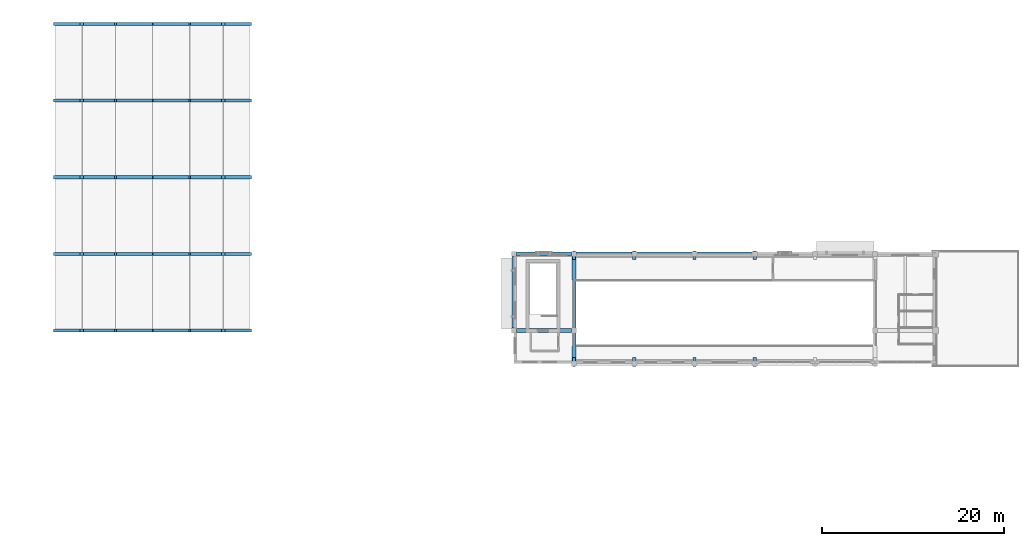
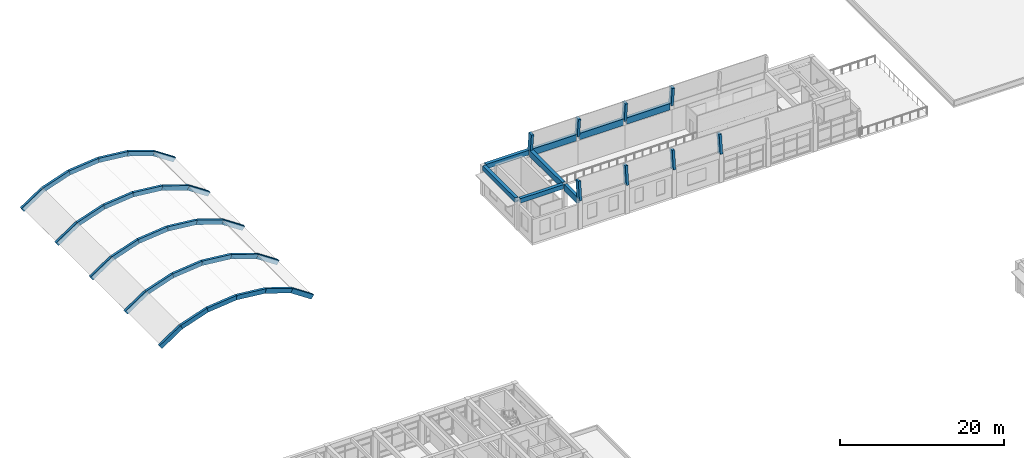
# One storey, part 12 of 50: 46 beams.
"""IFC4 building model written with IfcOpenShell, lengths in metres."""

from ifc_helpers import new_model, si_unit, direction, frame, origin, origin_2d, place, context, subcontext, project, spatial, rectangle, extrude, material, material_profile, profile_set, type_object, element, save


model = new_model("IFC4")

# Units and contexts
model_context = context("Model", 3, precision=1e-05, world=origin(), true_north=direction((0.0, 1.0)))
body_context = subcontext(model_context, "Body", "Model", "MODEL_VIEW")
ifc_project = project(units=[si_unit("LENGTHUNIT", "METRE"), si_unit("AREAUNIT", "SQUARE_METRE"), si_unit("VOLUMEUNIT", "CUBIC_METRE"), si_unit("PLANEANGLEUNIT", "RADIAN"), si_unit("MASSUNIT", "GRAM", prefix="KILO")], contexts=[model_context])

# Site, building, storey
site_placement = place(None, origin())
site = spatial("IfcSite", under=ifc_project, at=site_placement, CompositionType="ELEMENT")
building_placement = place(site_placement, origin())
building = spatial("IfcBuilding", under=site, at=building_placement, Name="Kolvaren Faculty of Natural Sciences", CompositionType="ELEMENT")
storey_placement = place(building_placement, frame((0.0, 0.0, 15.0)))
storey = spatial("IfcBuildingStorey", under=building, at=storey_placement, Name="L03", CompositionType="ELEMENT", Elevation=15.0)

# Beams
ifc_material_1 = material(Name="Concrete C35/45", Category="concrete")
ifc_material_profile_1 = material_profile(ifc_material_1, rectangle(XDim=0.449951171875, YDim=0.64990234375, at=origin_2d()), Name="RC BM 450x650")
ifc_profile_set_1 = profile_set([ifc_material_profile_1], Name="Concrete C35/45")
beam_type_1 = type_object("IfcBeamType", Name="GridBeam_450x650", PredefinedType="BEAM", material=ifc_profile_set_1)
beam_1_placement = place(storey_placement, frame((59.875, 75.800048828125, 4.175048828125), z_axis=(1.0, 0.0, 0.0), x_axis=(0.0, 1.0, 0.0)))
element("IfcBeam", 1, at=beam_1_placement, inside=storey, type_object=beam_type_1, Name="L03 beam BM-65 on grid K", PredefinedType="BEAM", context=body_context, shape_type="SweptSolid", body=[
    extrude(rectangle(XDim=0.449951171875, YDim=0.64990234375, at=origin_2d()), origin(), (0.0, 0.0, 1.0), 6.050048828125),
])
ifc_material_profile_2 = material_profile(ifc_material_1, rectangle(XDim=0.449951171875, YDim=0.699951171875, at=origin_2d()), Name="RC SP 450x700")
ifc_profile_set_2 = profile_set([ifc_material_profile_2], Name="Concrete C35/45")
beam_type_2 = type_object("IfcBeamType", Name="PerimeterSpandrel_450x700", PredefinedType="SPANDREL", material=ifc_profile_set_2)
beam_2_placement = place(storey_placement, frame((59.875, 84.199951171875, 4.14990234375), z_axis=(1.0, 0.0, 0.0), x_axis=(0.0, 1.0, 0.0)))
element("IfcBeam", 2, at=beam_2_placement, inside=storey, type_object=beam_type_2, Name="L03 spandrel SP-70 on grid L", PredefinedType="SPANDREL", context=body_context, shape_type="SweptSolid", body=[
    extrude(rectangle(XDim=0.449951171875, YDim=0.699951171875, at=origin_2d()), origin(), (0.0, 0.0, 1.0), 6.050048828125),
])
beam_3_placement = place(storey_placement, frame((59.60009765625, 76.074951171875, 4.14990234375), z_axis=(0.0, 1.0, 0.0), x_axis=(-1.0, 0.0, 0.0)))
element("IfcBeam", 3, at=beam_3_placement, inside=storey, type_object=beam_type_2, Name="L03 girder SP-70 on grid 10", PredefinedType="SPANDREL", context=body_context, shape_type="SweptSolid", body=[
    extrude(rectangle(XDim=0.449951171875, YDim=0.699951171875, at=origin_2d()), origin(), (0.0, 0.0, 1.0), 7.85009765625),
])
ifc_material_2 = material(Name="Concrete C40/50", Category="concrete")
ifc_material_profile_3 = material_profile(ifc_material_2, rectangle(XDim=0.35009765625, YDim=0.64990234375, at=origin_2d()), Name="RC RB 350x650")
ifc_profile_set_3 = profile_set([ifc_material_profile_3], Name="Concrete C40/50")
beam_type_3 = type_object("IfcBeamType", Name="ShellArchRib_350x650", PredefinedType="BEAM", material=ifc_profile_set_3)
beam_4_placement = place(storey_placement, frame((9.321044921875, 75.800048828125, 0.092529296875), z_axis=(0.832050294338, 0.0, 0.554700196225), x_axis=(0.0, 1.0, 0.0)))
element("IfcBeam", 4, at=beam_4_placement, inside=storey, type_object=beam_type_3, Name="Lecture Theatre Pavilion Barrel Vault Shell arched stiffening rib 1.3", PredefinedType="BEAM", context=body_context, shape_type="SweptSolid", body=[
    extrude(rectangle(XDim=0.35009765625, YDim=0.64990234375, at=origin_2d()), origin(), (0.0, 0.0, 1.0), 3.509521484375),
])
beam_5_placement = place(storey_placement, frame((12.2412109375, 75.800048828125, 2.039306640625), z_axis=(0.946858486581, 0.0, 0.321650441301), x_axis=(0.0, 1.0, 0.0)))
element("IfcBeam", 5, at=beam_5_placement, inside=storey, type_object=beam_type_3, Name="Lecture Theatre Pavilion Barrel Vault Shell arched stiffening rib 1.4", PredefinedType="BEAM", context=body_context, shape_type="SweptSolid", body=[
    extrude(rectangle(XDim=0.35009765625, YDim=0.64990234375, at=origin_2d()), origin(), (0.0, 0.0, 1.0), 3.88623046875),
])
for number, where, z_axis, x_axis, name in (
    (6, (15.9208984375, 75.800048828125, 3.289306640625), (0.994472790545, 0.0, 0.10499461351), (0.0, 1.0, 0.0), "Lecture Theatre Pavilion Barrel Vault Shell arched stiffening rib 1.5"),
    (7, (20.0, 75.800048828125, 3.719970703125), (0.994472790545, 0.0, -0.10499461351), (0.0, 1.0, 0.0), "Lecture Theatre Pavilion Barrel Vault Shell arched stiffening rib 1.6"),
):
    element("IfcBeam", number, at=place(storey_placement, frame(where, z_axis=z_axis, x_axis=x_axis)), inside=storey, type_object=beam_type_3, Name=name, PredefinedType="BEAM", context=body_context, shape_type="SweptSolid", body=[
        extrude(rectangle(XDim=0.35009765625, YDim=0.64990234375, at=origin_2d()), origin(), (0.0, 0.0, 1.0), 4.101806640625),
    ])
beam_6_placement = place(storey_placement, frame((24.0791015625, 75.800048828125, 3.289306640625), z_axis=(0.946858486581, 0.0, -0.321650441301), x_axis=(0.0, 1.0, 0.0)))
element("IfcBeam", 8, at=beam_6_placement, inside=storey, type_object=beam_type_3, Name="Lecture Theatre Pavilion Barrel Vault Shell arched stiffening rib 1.7", PredefinedType="BEAM", context=body_context, shape_type="SweptSolid", body=[
    extrude(rectangle(XDim=0.35009765625, YDim=0.64990234375, at=origin_2d()), origin(), (0.0, 0.0, 1.0), 3.88623046875),
])
for number, where, z_axis, x_axis, name in (
    (9, (27.7587890625, 75.800048828125, 2.039306640625), (0.832050294338, 0.0, -0.554700196225), (0.0, 1.0, 0.0), "Lecture Theatre Pavilion Barrel Vault Shell arched stiffening rib 1.8"),
    (10, (9.321044921875, 84.199951171875, 0.092529296875), (0.832050294338, 0.0, 0.554700196225), (0.0, 1.0, 0.0), "Lecture Theatre Pavilion Barrel Vault Shell arched stiffening rib 2.3"),
):
    element("IfcBeam", number, at=place(storey_placement, frame(where, z_axis=z_axis, x_axis=x_axis)), inside=storey, type_object=beam_type_3, Name=name, PredefinedType="BEAM", context=body_context, shape_type="SweptSolid", body=[
        extrude(rectangle(XDim=0.35009765625, YDim=0.64990234375, at=origin_2d()), origin(), (0.0, 0.0, 1.0), 3.509521484375),
    ])
beam_7_placement = place(storey_placement, frame((12.2412109375, 84.199951171875, 2.039306640625), z_axis=(0.946858486581, 0.0, 0.321650441301), x_axis=(0.0, 1.0, 0.0)))
element("IfcBeam", 11, at=beam_7_placement, inside=storey, type_object=beam_type_3, Name="Lecture Theatre Pavilion Barrel Vault Shell arched stiffening rib 2.4", PredefinedType="BEAM", context=body_context, shape_type="SweptSolid", body=[
    extrude(rectangle(XDim=0.35009765625, YDim=0.64990234375, at=origin_2d()), origin(), (0.0, 0.0, 1.0), 3.88623046875),
])
for number, where, z_axis, x_axis, name in (
    (12, (15.9208984375, 84.199951171875, 3.289306640625), (0.994472790545, 0.0, 0.10499461351), (0.0, 1.0, 0.0), "Lecture Theatre Pavilion Barrel Vault Shell arched stiffening rib 2.5"),
    (13, (20.0, 84.199951171875, 3.719970703125), (0.994472790545, 0.0, -0.10499461351), (0.0, 1.0, 0.0), "Lecture Theatre Pavilion Barrel Vault Shell arched stiffening rib 2.6"),
):
    element("IfcBeam", number, at=place(storey_placement, frame(where, z_axis=z_axis, x_axis=x_axis)), inside=storey, type_object=beam_type_3, Name=name, PredefinedType="BEAM", context=body_context, shape_type="SweptSolid", body=[
        extrude(rectangle(XDim=0.35009765625, YDim=0.64990234375, at=origin_2d()), origin(), (0.0, 0.0, 1.0), 4.101806640625),
    ])
beam_8_placement = place(storey_placement, frame((24.0791015625, 84.199951171875, 3.289306640625), z_axis=(0.946858486581, 0.0, -0.321650441301), x_axis=(0.0, 1.0, 0.0)))
element("IfcBeam", 14, at=beam_8_placement, inside=storey, type_object=beam_type_3, Name="Lecture Theatre Pavilion Barrel Vault Shell arched stiffening rib 2.7", PredefinedType="BEAM", context=body_context, shape_type="SweptSolid", body=[
    extrude(rectangle(XDim=0.35009765625, YDim=0.64990234375, at=origin_2d()), origin(), (0.0, 0.0, 1.0), 3.88623046875),
])
for number, where, z_axis, x_axis, name in (
    (15, (27.7587890625, 84.199951171875, 2.039306640625), (0.832050294338, 0.0, -0.554700196225), (0.0, 1.0, 0.0), "Lecture Theatre Pavilion Barrel Vault Shell arched stiffening rib 2.8"),
    (16, (9.321044921875, 92.60009765625, 0.092529296875), (0.832050294338, 0.0, 0.554700196225), (0.0, 1.0, 0.0), "Lecture Theatre Pavilion Barrel Vault Shell arched stiffening rib 3.3"),
):
    element("IfcBeam", number, at=place(storey_placement, frame(where, z_axis=z_axis, x_axis=x_axis)), inside=storey, type_object=beam_type_3, Name=name, PredefinedType="BEAM", context=body_context, shape_type="SweptSolid", body=[
        extrude(rectangle(XDim=0.35009765625, YDim=0.64990234375, at=origin_2d()), origin(), (0.0, 0.0, 1.0), 3.509521484375),
    ])
beam_9_placement = place(storey_placement, frame((12.2412109375, 92.60009765625, 2.039306640625), z_axis=(0.946858486581, 0.0, 0.321650441301), x_axis=(0.0, 1.0, 0.0)))
element("IfcBeam", 17, at=beam_9_placement, inside=storey, type_object=beam_type_3, Name="Lecture Theatre Pavilion Barrel Vault Shell arched stiffening rib 3.4", PredefinedType="BEAM", context=body_context, shape_type="SweptSolid", body=[
    extrude(rectangle(XDim=0.35009765625, YDim=0.64990234375, at=origin_2d()), origin(), (0.0, 0.0, 1.0), 3.88623046875),
])
for number, where, z_axis, x_axis, name in (
    (18, (15.9208984375, 92.60009765625, 3.289306640625), (0.994472790545, 0.0, 0.10499461351), (0.0, 1.0, 0.0), "Lecture Theatre Pavilion Barrel Vault Shell arched stiffening rib 3.5"),
    (19, (20.0, 92.60009765625, 3.719970703125), (0.994472790545, 0.0, -0.10499461351), (0.0, 1.0, 0.0), "Lecture Theatre Pavilion Barrel Vault Shell arched stiffening rib 3.6"),
):
    element("IfcBeam", number, at=place(storey_placement, frame(where, z_axis=z_axis, x_axis=x_axis)), inside=storey, type_object=beam_type_3, Name=name, PredefinedType="BEAM", context=body_context, shape_type="SweptSolid", body=[
        extrude(rectangle(XDim=0.35009765625, YDim=0.64990234375, at=origin_2d()), origin(), (0.0, 0.0, 1.0), 4.101806640625),
    ])
beam_10_placement = place(storey_placement, frame((24.0791015625, 92.60009765625, 3.289306640625), z_axis=(0.946858486581, 0.0, -0.321650441301), x_axis=(0.0, 1.0, 0.0)))
element("IfcBeam", 20, at=beam_10_placement, inside=storey, type_object=beam_type_3, Name="Lecture Theatre Pavilion Barrel Vault Shell arched stiffening rib 3.7", PredefinedType="BEAM", context=body_context, shape_type="SweptSolid", body=[
    extrude(rectangle(XDim=0.35009765625, YDim=0.64990234375, at=origin_2d()), origin(), (0.0, 0.0, 1.0), 3.88623046875),
])
for number, where, z_axis, x_axis, name in (
    (21, (27.7587890625, 92.60009765625, 2.039306640625), (0.832050294338, 0.0, -0.554700196225), (0.0, 1.0, 0.0), "Lecture Theatre Pavilion Barrel Vault Shell arched stiffening rib 3.8"),
    (22, (9.321044921875, 101.0, 0.092529296875), (0.832050294338, 0.0, 0.554700196225), (0.0, 1.0, 0.0), "Lecture Theatre Pavilion Barrel Vault Shell arched stiffening rib 4.3"),
):
    element("IfcBeam", number, at=place(storey_placement, frame(where, z_axis=z_axis, x_axis=x_axis)), inside=storey, type_object=beam_type_3, Name=name, PredefinedType="BEAM", context=body_context, shape_type="SweptSolid", body=[
        extrude(rectangle(XDim=0.35009765625, YDim=0.64990234375, at=origin_2d()), origin(), (0.0, 0.0, 1.0), 3.509521484375),
    ])
beam_11_placement = place(storey_placement, frame((12.2412109375, 101.0, 2.039306640625), z_axis=(0.946858486581, 0.0, 0.321650441301), x_axis=(0.0, 1.0, 0.0)))
element("IfcBeam", 23, at=beam_11_placement, inside=storey, type_object=beam_type_3, Name="Lecture Theatre Pavilion Barrel Vault Shell arched stiffening rib 4.4", PredefinedType="BEAM", context=body_context, shape_type="SweptSolid", body=[
    extrude(rectangle(XDim=0.35009765625, YDim=0.64990234375, at=origin_2d()), origin(), (0.0, 0.0, 1.0), 3.88623046875),
])
for number, where, z_axis, x_axis, name in (
    (24, (15.9208984375, 101.0, 3.289306640625), (0.994472790545, 0.0, 0.10499461351), (0.0, 1.0, 0.0), "Lecture Theatre Pavilion Barrel Vault Shell arched stiffening rib 4.5"),
    (25, (20.0, 101.0, 3.719970703125), (0.994472790545, 0.0, -0.10499461351), (0.0, 1.0, 0.0), "Lecture Theatre Pavilion Barrel Vault Shell arched stiffening rib 4.6"),
):
    element("IfcBeam", number, at=place(storey_placement, frame(where, z_axis=z_axis, x_axis=x_axis)), inside=storey, type_object=beam_type_3, Name=name, PredefinedType="BEAM", context=body_context, shape_type="SweptSolid", body=[
        extrude(rectangle(XDim=0.35009765625, YDim=0.64990234375, at=origin_2d()), origin(), (0.0, 0.0, 1.0), 4.101806640625),
    ])
beam_12_placement = place(storey_placement, frame((24.0791015625, 101.0, 3.289306640625), z_axis=(0.946858486581, 0.0, -0.321650441301), x_axis=(0.0, 1.0, 0.0)))
element("IfcBeam", 26, at=beam_12_placement, inside=storey, type_object=beam_type_3, Name="Lecture Theatre Pavilion Barrel Vault Shell arched stiffening rib 4.7", PredefinedType="BEAM", context=body_context, shape_type="SweptSolid", body=[
    extrude(rectangle(XDim=0.35009765625, YDim=0.64990234375, at=origin_2d()), origin(), (0.0, 0.0, 1.0), 3.88623046875),
])
for number, where, z_axis, x_axis, name in (
    (27, (27.7587890625, 101.0, 2.039306640625), (0.832050294338, 0.0, -0.554700196225), (0.0, 1.0, 0.0), "Lecture Theatre Pavilion Barrel Vault Shell arched stiffening rib 4.8"),
    (28, (9.321044921875, 109.39990234375, 0.092529296875), (0.832050294338, 0.0, 0.554700196225), (0.0, 1.0, 0.0), "Lecture Theatre Pavilion Barrel Vault Shell arched stiffening rib 5.3"),
):
    element("IfcBeam", number, at=place(storey_placement, frame(where, z_axis=z_axis, x_axis=x_axis)), inside=storey, type_object=beam_type_3, Name=name, PredefinedType="BEAM", context=body_context, shape_type="SweptSolid", body=[
        extrude(rectangle(XDim=0.35009765625, YDim=0.64990234375, at=origin_2d()), origin(), (0.0, 0.0, 1.0), 3.509521484375),
    ])
beam_13_placement = place(storey_placement, frame((12.2412109375, 109.39990234375, 2.039306640625), z_axis=(0.946858486581, 0.0, 0.321650441301), x_axis=(0.0, 1.0, 0.0)))
element("IfcBeam", 29, at=beam_13_placement, inside=storey, type_object=beam_type_3, Name="Lecture Theatre Pavilion Barrel Vault Shell arched stiffening rib 5.4", PredefinedType="BEAM", context=body_context, shape_type="SweptSolid", body=[
    extrude(rectangle(XDim=0.35009765625, YDim=0.64990234375, at=origin_2d()), origin(), (0.0, 0.0, 1.0), 3.88623046875),
])
for number, where, z_axis, x_axis, name in (
    (30, (15.9208984375, 109.39990234375, 3.289306640625), (0.994472790545, 0.0, 0.10499461351), (0.0, 1.0, 0.0), "Lecture Theatre Pavilion Barrel Vault Shell arched stiffening rib 5.5"),
    (31, (20.0, 109.39990234375, 3.719970703125), (0.994472790545, 0.0, -0.10499461351), (0.0, 1.0, 0.0), "Lecture Theatre Pavilion Barrel Vault Shell arched stiffening rib 5.6"),
):
    element("IfcBeam", number, at=place(storey_placement, frame(where, z_axis=z_axis, x_axis=x_axis)), inside=storey, type_object=beam_type_3, Name=name, PredefinedType="BEAM", context=body_context, shape_type="SweptSolid", body=[
        extrude(rectangle(XDim=0.35009765625, YDim=0.64990234375, at=origin_2d()), origin(), (0.0, 0.0, 1.0), 4.101806640625),
    ])
beam_14_placement = place(storey_placement, frame((24.0791015625, 109.39990234375, 3.289306640625), z_axis=(0.946858486581, 0.0, -0.321650441301), x_axis=(0.0, 1.0, 0.0)))
element("IfcBeam", 32, at=beam_14_placement, inside=storey, type_object=beam_type_3, Name="Lecture Theatre Pavilion Barrel Vault Shell arched stiffening rib 5.7", PredefinedType="BEAM", context=body_context, shape_type="SweptSolid", body=[
    extrude(rectangle(XDim=0.35009765625, YDim=0.64990234375, at=origin_2d()), origin(), (0.0, 0.0, 1.0), 3.88623046875),
])
beam_15_placement = place(storey_placement, frame((27.7587890625, 109.39990234375, 2.039306640625), z_axis=(0.832050294338, 0.0, -0.554700196225), x_axis=(0.0, 1.0, 0.0)))
element("IfcBeam", 33, at=beam_15_placement, inside=storey, type_object=beam_type_3, Name="Lecture Theatre Pavilion Barrel Vault Shell arched stiffening rib 5.8", PredefinedType="BEAM", context=body_context, shape_type="SweptSolid", body=[
    extrude(rectangle(XDim=0.35009765625, YDim=0.64990234375, at=origin_2d()), origin(), (0.0, 0.0, 1.0), 3.509521484375),
])
for number, where, z_axis, x_axis, name in (
    (34, (66.199951171875, 72.199951171875, 4.179931640625), (0.0, 0.105843436286, 0.994382807069), (-1.0, 0.0, 0.0), "Central Sky-Lit Atrium Barrel Vault Shell arched stiffening rib 1.1"),
    (35, (66.199951171875, 83.90625, 6.939208984375), (0.0, 0.105843436286, -0.994382807069), (-1.0, 0.0, 0.0), "Central Sky-Lit Atrium Barrel Vault Shell arched stiffening rib 1.10"),
    (36, (72.800048828125, 72.199951171875, 4.179931640625), (0.0, 0.105843436286, 0.994382807069), (-1.0, 0.0, 0.0), "Central Sky-Lit Atrium Barrel Vault Shell arched stiffening rib 2.1"),
    (37, (72.800048828125, 83.90625, 6.939208984375), (0.0, 0.105843436286, -0.994382807069), (-1.0, 0.0, 0.0), "Central Sky-Lit Atrium Barrel Vault Shell arched stiffening rib 2.10"),
    (38, (79.39990234375, 72.199951171875, 4.179931640625), (0.0, 0.105843436286, 0.994382807069), (-1.0, 0.0, 0.0), "Central Sky-Lit Atrium Barrel Vault Shell arched stiffening rib 3.1"),
    (39, (79.39990234375, 83.90625, 6.939208984375), (0.0, 0.105843436286, -0.994382807069), (-1.0, 0.0, 0.0), "Central Sky-Lit Atrium Barrel Vault Shell arched stiffening rib 3.10"),
    (40, (86.0, 72.199951171875, 4.179931640625), (0.0, 0.105843436286, 0.994382807069), (-1.0, 0.0, 0.0), "Central Sky-Lit Atrium Barrel Vault Shell arched stiffening rib 4.1"),
    (41, (86.0, 83.90625, 6.939208984375), (0.0, 0.105843436286, -0.994382807069), (-1.0, 0.0, 0.0), "Central Sky-Lit Atrium Barrel Vault Shell arched stiffening rib 4.10"),
):
    element("IfcBeam", number, at=place(storey_placement, frame(where, z_axis=z_axis, x_axis=x_axis)), inside=storey, type_object=beam_type_3, Name=name, PredefinedType="BEAM", context=body_context, shape_type="SweptSolid", body=[
        extrude(rectangle(XDim=0.35009765625, YDim=0.64990234375, at=origin_2d()), origin(), (0.0, 0.0, 1.0), 2.77490234375),
    ])
ifc_material_profile_4 = material_profile(ifc_material_2, rectangle(XDim=0.449951171875, YDim=0.949951171875, at=origin_2d()), Name="RC EB 450x950")
ifc_profile_set_4 = profile_set([ifc_material_profile_4], Name="Concrete C40/50")
beam_type_4 = type_object("IfcBeamType", Name="ShellEdgeBeam_450x950", PredefinedType="SPANDREL", material=ifc_profile_set_4)
beam_16_placement = place(storey_placement, frame((66.43994140625, 84.199951171875, 4.02490234375), z_axis=(1.0, 0.0, 0.0), x_axis=(0.0, 1.0, 0.0)))
element("IfcBeam", 42, at=beam_16_placement, inside=storey, type_object=beam_type_4, Name="Central Sky-Lit Atrium Barrel Vault Shell visible RC edge beam EB-SHELL", PredefinedType="SPANDREL", context=body_context, shape_type="SweptSolid", body=[
    extrude(rectangle(XDim=0.449951171875, YDim=0.949951171875, at=origin_2d()), origin(), (0.0, 0.0, 1.0), 6.1201171875),
])
beam_17_placement = place(storey_placement, frame((73.0400390625, 84.199951171875, 4.02490234375), z_axis=(1.0, 0.0, 0.0), x_axis=(0.0, 1.0, 0.0)))
element("IfcBeam", 43, at=beam_17_placement, inside=storey, type_object=beam_type_4, Name="Central Sky-Lit Atrium Barrel Vault Shell visible RC edge beam EB-SHELL", PredefinedType="SPANDREL", context=body_context, shape_type="SweptSolid", body=[
    extrude(rectangle(XDim=0.449951171875, YDim=0.949951171875, at=origin_2d()), origin(), (0.0, 0.0, 1.0), 6.119873046875),
])
beam_18_placement = place(storey_placement, frame((79.639892578125, 84.199951171875, 4.02490234375), z_axis=(1.0, 0.0, 0.0), x_axis=(0.0, 1.0, 0.0)))
element("IfcBeam", 44, at=beam_18_placement, inside=storey, type_object=beam_type_4, Name="Central Sky-Lit Atrium Barrel Vault Shell visible RC edge beam EB-SHELL", PredefinedType="SPANDREL", context=body_context, shape_type="SweptSolid", body=[
    extrude(rectangle(XDim=0.449951171875, YDim=0.949951171875, at=origin_2d()), origin(), (0.0, 0.0, 1.0), 6.1201171875),
])
beam_19_placement = place(storey_placement, frame((66.199951171875, 72.43994140625, 4.02490234375), z_axis=(0.0, 1.0, 0.0), x_axis=(-1.0, 0.0, 0.0)))
element("IfcBeam", 45, at=beam_19_placement, inside=storey, type_object=beam_type_4, Name="Central Sky-Lit Atrium Barrel Vault Shell visible RC edge beam EB-SHELL", PredefinedType="SPANDREL", context=body_context, shape_type="SweptSolid", body=[
    extrude(rectangle(XDim=0.449951171875, YDim=0.949951171875, at=origin_2d()), origin(), (0.0, 0.0, 1.0), 3.1201171875),
])
beam_20_placement = place(storey_placement, frame((66.199951171875, 76.0400390625, 4.02490234375), z_axis=(0.0, 1.0, 0.0), x_axis=(-1.0, 0.0, 0.0)))
element("IfcBeam", 46, at=beam_20_placement, inside=storey, type_object=beam_type_4, Name="Central Sky-Lit Atrium Barrel Vault Shell visible RC edge beam EB-SHELL", PredefinedType="SPANDREL", context=body_context, shape_type="SweptSolid", body=[
    extrude(rectangle(XDim=0.449951171875, YDim=0.949951171875, at=origin_2d()), origin(), (0.0, 0.0, 1.0), 7.919921875),
])

save(model, "model.ifc")
